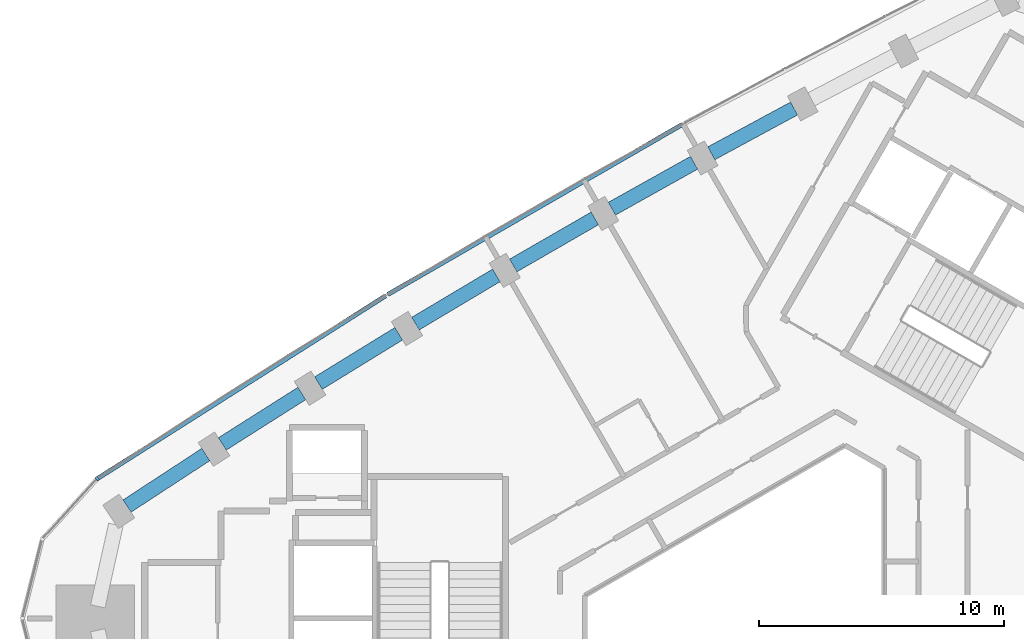
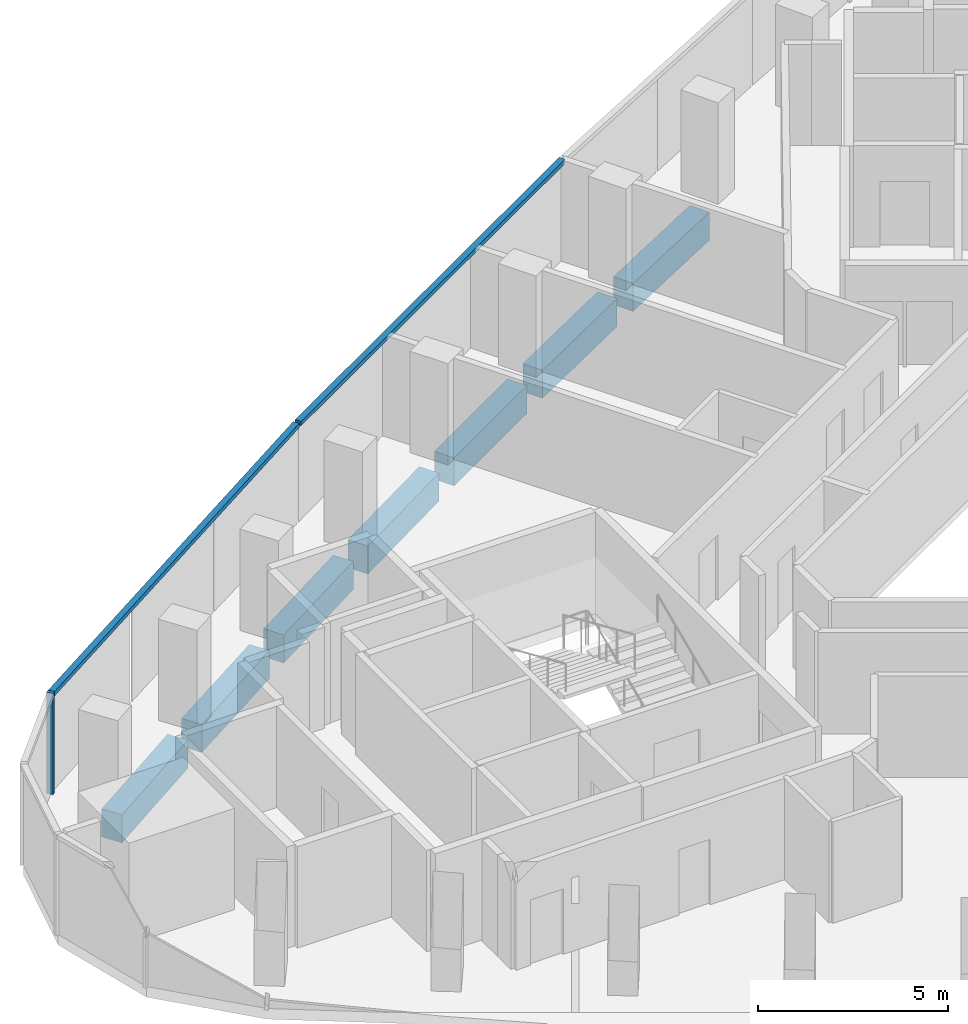
# One storey, part 4 of 12: 7 beams, 3 members, 1 element without a shape of its own.
"""IFC4 building model written with IfcOpenShell, lengths in metres."""

from ifc_helpers import new_model, si_unit, direction, frame, origin, origin_2d, place, context, subcontext, project, spatial, rectangle, extrude, material, material_profile, profile_set, type_object, element, aggregate, save


model = new_model("IFC4")

# Units and contexts
model_context = context("Model", 3, precision=1e-05, world=origin(), true_north=direction((0.0, 1.0)))
body_context = subcontext(model_context, "Body", "Model", "MODEL_VIEW")
ifc_project = project(units=[si_unit("LENGTHUNIT", "METRE"), si_unit("AREAUNIT", "SQUARE_METRE"), si_unit("VOLUMEUNIT", "CUBIC_METRE"), si_unit("PLANEANGLEUNIT", "RADIAN"), si_unit("MASSUNIT", "GRAM", prefix="KILO")], contexts=[model_context])

# Site, building, storey
site_placement = place(None, origin())
site = spatial("IfcSite", under=ifc_project, at=site_placement, CompositionType="ELEMENT")
building_placement = place(site_placement, origin())
building = spatial("IfcBuilding", under=site, at=building_placement, Name="Tamra Quay Hotel Tower", CompositionType="ELEMENT")
storey_placement = place(building_placement, frame((0.0, 0.0, 179.199951171875)))
storey = spatial("IfcBuildingStorey", under=building, at=storey_placement, Name="L44", CompositionType="ELEMENT", Elevation=179.199951171875)

# Curtain wall, member
ifc_material_1 = material(Name="Aluminium 6063 anodised dark grey", Category="aluminium")
curtain_wall_type = type_object("IfcCurtainWallType", Name="CW2 CURTAIN WALL", PredefinedType="NOTDEFINED", material=ifc_material_1)
curtain_wall_placement = place(storey_placement, origin())
curtain_wall = element("IfcCurtainWall", 1, at=curtain_wall_placement, inside=storey, type_object=curtain_wall_type, Name="CW2 north-west face L44", PredefinedType="NOTDEFINED")
ifc_material_profile_1 = material_profile(ifc_material_1, rectangle(XDim=0.179931640625, YDim=0.10009765625, at=origin_2d()), Name="MULLION 100X180")
ifc_profile_set_1 = profile_set([ifc_material_profile_1], Name="Aluminium 6063 anodised dark grey")
member_type_1 = type_object("IfcMemberType", Name="MULLION CW2 Z4", PredefinedType="MULLION", material=ifc_profile_set_1)
member_1_placement = place(storey_placement, frame((-27.48046875, 5.687255859375, 0.0), z_axis=(0.0, 0.0, 1.0), x_axis=(-0.648381346761, 0.7613157224, 0.0)))
member_1 = element("IfcMember", 2, at=member_1_placement, type_object=member_type_1, Name="CW2 mullion L44.NW.10", PredefinedType="MULLION", context=body_context, shape_type="SweptSolid", body=[
    extrude(rectangle(XDim=0.179931640625, YDim=0.10009765625, at=origin_2d()), origin(), (0.0, 0.0, 1.0), 3.25),
])

# Beams
ifc_material_2 = material(Name="Concrete M60", Category="concrete")
ifc_material_profile_2 = material_profile(ifc_material_2, rectangle(XDim=0.60009765625, YDim=0.89990234375, at=origin_2d()), Name="SPANDREL BEAM RC 600x900")
ifc_profile_set_2 = profile_set([ifc_material_profile_2], Name="Concrete M60")
beam_type = type_object("IfcBeamType", Name="SPANDREL BEAM RC 600x900", PredefinedType="SPANDREL", material=ifc_profile_set_2)
beam_1_placement = place(storey_placement, frame((0.927490234375, 20.77783203125, -0.800048828125), z_axis=(-0.879589264525, -0.475733881211, 0.0), x_axis=(0.475733881211, -0.879589264525, 0.0)))
element("IfcBeam", 3, at=beam_1_placement, inside=storey, type_object=beam_type, Name="BM-SP4-013-L44", PredefinedType="SPANDREL", context=body_context, shape_type="SweptSolid", body=[
    extrude(rectangle(XDim=0.60009765625, YDim=0.89990234375, at=origin_2d()), origin(), (0.0, 0.0, 1.0), 3.838134765625),
])
for number, where, z_axis, x_axis, name in (
    (4, (-3.1494140625, 18.56640625, -0.800048828125), (-0.872890885292, -0.487915466422, 0.0), (0.487915466422, -0.872890885292, 0.0), "BM-SP4-014-L44"),
    (5, (-7.194580078125, 16.298828125, -0.800048828125), (-0.866022424722, -0.500005159851, 0.0), (0.500005159851, -0.866022424722, 0.0), "BM-SP4-015-L44"),
):
    element("IfcBeam", number, at=place(storey_placement, frame(where, z_axis=z_axis, x_axis=x_axis)), inside=storey, type_object=beam_type, Name=name, PredefinedType="SPANDREL", context=body_context, shape_type="SweptSolid", body=[
        extrude(rectangle(XDim=0.60009765625, YDim=0.89990234375, at=origin_2d()), origin(), (0.0, 0.0, 1.0), 3.83740234375),
    ])
beam_2_placement = place(storey_placement, frame((-11.2080078125, 13.975341796875, -0.800048828125), z_axis=(-0.858982487636, -0.512004966708, 0.0), x_axis=(0.512004966708, -0.858982487636, 0.0)))
element("IfcBeam", 6, at=beam_2_placement, inside=storey, type_object=beam_type, Name="BM-SP4-016-L44", PredefinedType="SPANDREL", context=body_context, shape_type="SweptSolid", body=[
    extrude(rectangle(XDim=0.60009765625, YDim=0.89990234375, at=origin_2d()), origin(), (0.0, 0.0, 1.0), 3.837646484375),
])
beam_3_placement = place(storey_placement, frame((-15.188720703125, 11.59619140625, -0.800048828125), z_axis=(-0.851817714835, -0.523838315411, 0.0), x_axis=(0.523838315411, -0.851817714835, 0.0)))
element("IfcBeam", 7, at=beam_3_placement, inside=storey, type_object=beam_type, Name="BM-SP4-017-L44", PredefinedType="SPANDREL", context=body_context, shape_type="SweptSolid", body=[
    extrude(rectangle(XDim=0.60009765625, YDim=0.89990234375, at=origin_2d()), origin(), (0.0, 0.0, 1.0), 3.837890625),
])
for number, where, z_axis, x_axis, name in (
    (8, (-19.136474609375, 9.162109375, -0.800048828125), (-0.844469978785, -0.535602889211, 0.0), (0.535602889211, -0.844469978785, 0.0), "BM-SP4-018-L44"),
    (9, (-23.0498046875, 6.673583984375, -0.800048828125), (-0.836969613974, -0.547249362983, 0.0), (0.547249362983, -0.836969613974, 0.0), "BM-SP4-019-L44"),
):
    element("IfcBeam", number, at=place(storey_placement, frame(where, z_axis=z_axis, x_axis=x_axis)), inside=storey, type_object=beam_type, Name=name, PredefinedType="SPANDREL", context=body_context, shape_type="SweptSolid", body=[
        extrude(rectangle(XDim=0.60009765625, YDim=0.89990234375, at=origin_2d()), origin(), (0.0, 0.0, 1.0), 3.837646484375),
    ])

# Member
ifc_material_profile_3 = material_profile(ifc_material_1, rectangle(XDim=0.179931640625, YDim=0.139892578125, at=origin_2d()), Name="TRANSOM 180X140")
ifc_profile_set_3 = profile_set([ifc_material_profile_3], Name="Aluminium 6063 anodised dark grey")
member_type_2 = type_object("IfcMemberType", Name="TRANSOM CW2 Z4", PredefinedType="USERDEFINED", material=ifc_profile_set_3)
member_2_placement = place(storey_placement, frame((-3.614013671875, 20.138671875, 3.179931640625), z_axis=(-0.866018612845, -0.500011762068, 0.0), x_axis=(0.500011762068, -0.866018612845, 0.0)))
member_2 = element("IfcMember", 10, at=member_2_placement, type_object=member_type_2, Name="CW2 transom L44.NW.4", ObjectType="TRANSOM", PredefinedType="USERDEFINED", context=body_context, shape_type="SweptSolid", body=[
    extrude(rectangle(XDim=0.179931640625, YDim=0.139892578125, at=origin_2d()), origin(), (0.0, 0.0, 1.0), 13.879150390625),
])

member_3_placement = place(storey_placement, frame((-15.718994140625, 13.147216796875, 3.179931640625), z_axis=(-0.844484125962, -0.535580583105, 0.0), x_axis=(0.535580583105, -0.844484125962, 0.0)))
member_3 = element("IfcMember", 11, at=member_3_placement, type_object=member_type_2, Name="CW2 transom L44.NW.7", ObjectType="TRANSOM", PredefinedType="USERDEFINED", context=body_context, shape_type="SweptSolid", body=[
    extrude(rectangle(XDim=0.179931640625, YDim=0.139892578125, at=origin_2d()), origin(), (0.0, 0.0, 1.0), 13.877685546875),
])

aggregate(curtain_wall, [member_2, member_3, member_1])

save(model, "model.ifc")
